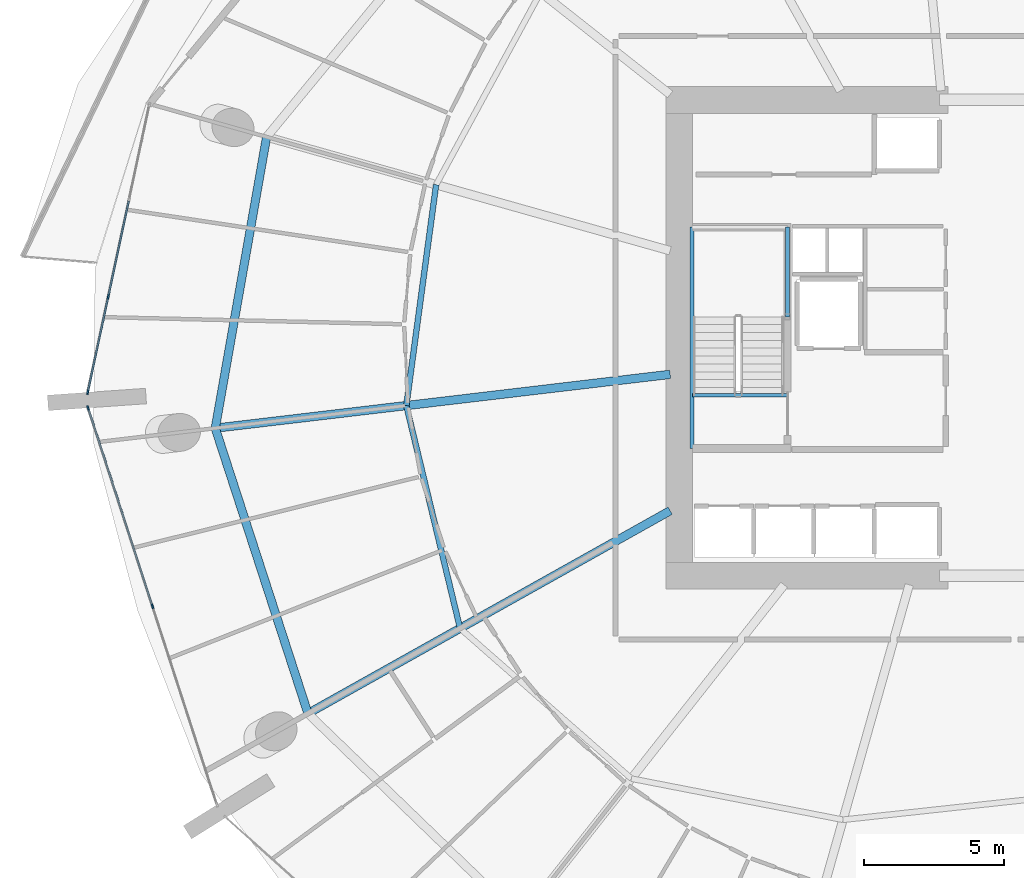
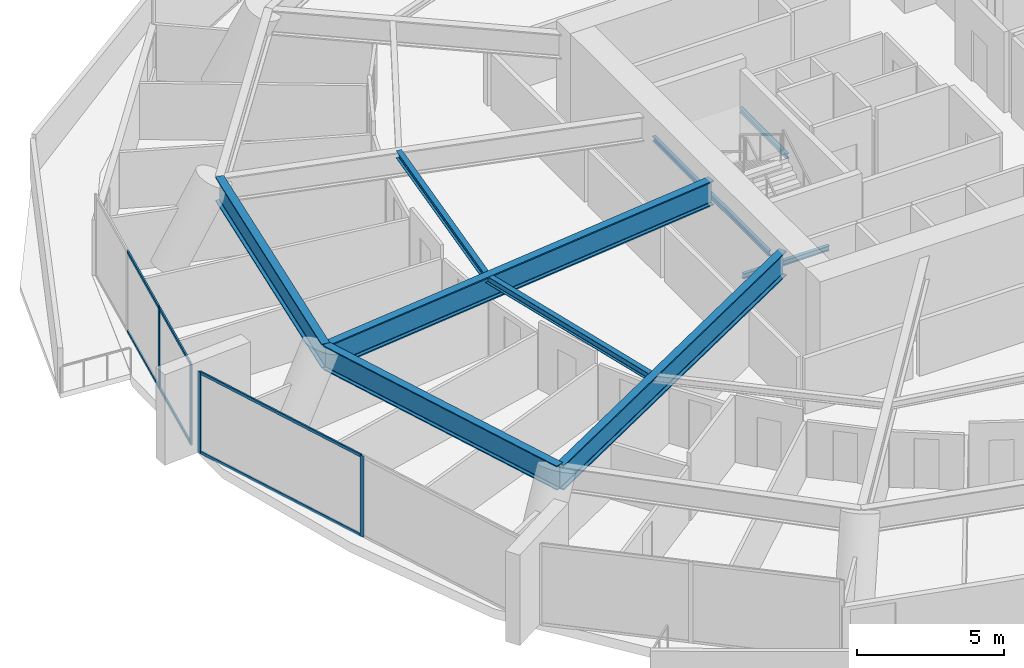
# One storey, part 8 of 31: 10 members, 9 beams, 2 elements without a shape of their own.
"""IFC4 building model written with IfcOpenShell, lengths in metres."""

from ifc_helpers import new_model, si_unit, direction, frame, origin, origin_2d, place, context, subcontext, project, spatial, rectangle, i_section, extrude, material, layer, layer_set, material_profile, profile_set, type_object, element, aggregate, save


model = new_model("IFC4")

# Units and contexts
model_context = context("Model", 3, precision=1e-05, world=origin(), true_north=direction((0.0, 1.0)))
body_context = subcontext(model_context, "Body", "Model", "MODEL_VIEW")
ifc_project = project(units=[si_unit("LENGTHUNIT", "METRE"), si_unit("AREAUNIT", "SQUARE_METRE"), si_unit("VOLUMEUNIT", "CUBIC_METRE"), si_unit("PLANEANGLEUNIT", "RADIAN"), si_unit("MASSUNIT", "GRAM", prefix="KILO")], contexts=[model_context])

# Site, building, storey
site_placement = place(None, origin())
site = spatial("IfcSite", under=ifc_project, at=site_placement, CompositionType="ELEMENT")
building_placement = place(site_placement, origin())
building = spatial("IfcBuilding", under=site, at=building_placement, Name="Kazma Halo Residences", CompositionType="ELEMENT")
storey_placement = place(building_placement, frame((0.0, 0.0, 71.39990234375)))
storey = spatial("IfcBuildingStorey", under=building, at=storey_placement, Name="L17", CompositionType="ELEMENT", Elevation=71.39990234375)

# Beams
ifc_material_1 = material(Name="Steel S355", Category="steel")
ifc_material_profile_1 = material_profile(ifc_material_1, i_section(OverallWidth=0.202880859375, OverallDepth=0.302978515625, WebThickness=0.007568359375, FlangeThickness=0.01318359375, FilletRadius=0.013916015625, at=origin_2d()), Name="W310x60")
ifc_profile_set_1 = profile_set([ifc_material_profile_1], Name="Steel S355")
beam_type_1 = type_object("IfcBeamType", Name="BM-SEC-W310A", PredefinedType="JOIST", material=ifc_profile_set_1)
beam_1_placement = place(storey_placement, frame((28.66162109375, 47.4541015625, 3.198486328125), z_axis=(-0.133694271493, -0.991022624247, 0.0), x_axis=(0.991022624247, -0.133694271493, 0.0)))
element("IfcBeam", 1, at=beam_1_placement, inside=storey, type_object=beam_type_1, Name="L17 circumferential floor joist 07", PredefinedType="JOIST", context=body_context, shape_type="SweptSolid", body=[
    extrude(i_section(OverallWidth=0.202880859375, OverallDepth=0.302978515625, WebThickness=0.007568359375, FlangeThickness=0.01318359375, FilletRadius=0.013916015625, at=origin_2d()), origin(), (0.0, 0.0, 1.0), 7.93994140625),
])
beam_2_placement = place(storey_placement, frame((27.60009765625, 39.58544921875, 3.198486328125), z_axis=(0.234661967598, -0.97207703448, 0.0), x_axis=(0.97207703448, 0.234661967598, 0.0)))
element("IfcBeam", 2, at=beam_2_placement, inside=storey, type_object=beam_type_1, Name="L17 circumferential floor joist 08", PredefinedType="JOIST", context=body_context, shape_type="SweptSolid", body=[
    extrude(i_section(OverallWidth=0.202880859375, OverallDepth=0.302978515625, WebThickness=0.007568359375, FlangeThickness=0.01318359375, FilletRadius=0.013916015625, at=origin_2d()), origin(), (0.0, 0.0, 1.0), 8.1650390625),
])
ifc_material_profile_2 = material_profile(ifc_material_1, i_section(OverallWidth=0.302001953125, OverallDepth=1.01806640625, WebThickness=0.021484375, FlangeThickness=0.049072265625, FilletRadius=0.028076171875, at=origin_2d()), Name="W1000x443")
ifc_profile_set_2 = profile_set([ifc_material_profile_2], Name="Steel S355")
beam_type_2 = type_object("IfcBeamType", Name="BM-TRANS-W1000A", PredefinedType="BEAM", material=ifc_profile_set_2)
beam_3_placement = place(storey_placement, frame((37.0, 40.697998046875, 2.841064453125), z_axis=(-0.993068155662, -0.117539943042, 0.0), x_axis=(0.117539943042, -0.993068155662, 0.0)))
element("IfcBeam", 3, at=beam_3_placement, inside=storey, type_object=beam_type_2, Name="L17 podium radial transfer girder 08", PredefinedType="BEAM", context=body_context, shape_type="SweptSolid", body=[
    extrude(i_section(OverallWidth=0.302001953125, OverallDepth=1.01806640625, WebThickness=0.021484375, FlangeThickness=0.049072265625, FilletRadius=0.028076171875, at=origin_2d()), origin(), (0.0, 0.0, 1.0), 16.319580078125),
])
beam_4_placement = place(storey_placement, frame((37.0, 35.839599609375, 2.841064453125), z_axis=(-0.872499822731, -0.488614428086, 0.0), x_axis=(0.488614428086, -0.872499822731, 0.0)))
element("IfcBeam", 4, at=beam_4_placement, inside=storey, type_object=beam_type_2, Name="L17 podium radial transfer girder 09", PredefinedType="BEAM", context=body_context, shape_type="SweptSolid", body=[
    extrude(i_section(OverallWidth=0.302001953125, OverallDepth=1.01806640625, WebThickness=0.021484375, FlangeThickness=0.049072265625, FilletRadius=0.028076171875, at=origin_2d()), origin(), (0.0, 0.0, 1.0), 14.788818359375),
])
ifc_material_profile_3 = material_profile(ifc_material_1, i_section(OverallWidth=0.300048828125, OverallDepth=1.0, WebThickness=0.01904296875, FlangeThickness=0.0400390625, FilletRadius=0.02587890625, at=origin_2d()), Name="W1000x371")
ifc_profile_set_3 = profile_set([ifc_material_profile_3], Name="Steel S355")
beam_type_3 = type_object("IfcBeamType", Name="BM-TRANS-W1000B", PredefinedType="BEAM", material=ifc_profile_set_3)
beam_5_placement = place(storey_placement, frame((22.623291015625, 49.156982421875, 2.85009765625), z_axis=(-0.173653159051, -0.984806874647, 0.0), x_axis=(0.984806874647, -0.173653159051, 0.0)))
element("IfcBeam", 5, at=beam_5_placement, inside=storey, type_object=beam_type_3, Name="L17 perimeter ring beam 07", PredefinedType="BEAM", context=body_context, shape_type="SweptSolid", body=[
    extrude(i_section(OverallWidth=0.300048828125, OverallDepth=1.0, WebThickness=0.01904296875, FlangeThickness=0.0400390625, FilletRadius=0.02587890625, at=origin_2d()), origin(), (0.0, 0.0, 1.0), 10.537353515625),
])
beam_6_placement = place(storey_placement, frame((20.79345703125, 38.77978515625, 2.85009765625), z_axis=(0.309017385422, -0.951056389236, 0.0), x_axis=(0.951056389236, 0.309017385422, 0.0)))
element("IfcBeam", 6, at=beam_6_placement, inside=storey, type_object=beam_type_3, Name="L17 perimeter ring beam 08", PredefinedType="BEAM", context=body_context, shape_type="SweptSolid", body=[
    extrude(i_section(OverallWidth=0.300048828125, OverallDepth=1.0, WebThickness=0.01904296875, FlangeThickness=0.0400390625, FilletRadius=0.02587890625, at=origin_2d()), origin(), (0.0, 0.0, 1.0), 10.689453125),
])
ifc_material_profile_4 = material_profile(ifc_material_1, i_section(OverallWidth=0.133056640625, OverallDepth=0.20703125, WebThickness=0.005859375, FlangeThickness=0.00830078125, FilletRadius=0.010009765625, at=origin_2d()), Name="W200x26.6")
ifc_profile_set_4 = profile_set([ifc_material_profile_4], Name="Steel S355")
beam_type_4 = type_object("IfcBeamType", Name="BM-TRIM-W200", PredefinedType="BEAM", material=ifc_profile_set_4)
beam_7_placement = place(storey_placement, frame((37.800048828125, 39.949951171875, -0.510009765625), z_axis=(1.0, 0.0, 0.0), x_axis=(0.0, 1.0, 0.0)))
element("IfcBeam", 7, at=beam_7_placement, inside=storey, type_object=beam_type_4, Name="L17 ST-01 floor landing support beam", PredefinedType="BEAM", context=body_context, shape_type="SweptSolid", body=[
    extrude(i_section(OverallWidth=0.133056640625, OverallDepth=0.20703125, WebThickness=0.005859375, FlangeThickness=0.00830078125, FilletRadius=0.010009765625, at=origin_2d()), origin(), (0.0, 0.0, 1.0), 3.3798828125),
])
beam_8_placement = place(storey_placement, frame((37.780029296875, 38.06005859375, 1.570068359375), z_axis=(0.0, 1.0, 0.0), x_axis=(-1.0, 0.0, 0.0)))
element("IfcBeam", 8, at=beam_8_placement, inside=storey, type_object=beam_type_4, Name="L17 ST-01 landing west wall ledger", PredefinedType="BEAM", context=body_context, shape_type="SweptSolid", body=[
    extrude(i_section(OverallWidth=0.133056640625, OverallDepth=0.20703125, WebThickness=0.005859375, FlangeThickness=0.00830078125, FilletRadius=0.010009765625, at=origin_2d()), origin(), (0.0, 0.0, 1.0), 7.8798828125),
])
beam_9_placement = place(storey_placement, frame((41.179931640625, 42.75, 1.570068359375), z_axis=(0.0, 1.0, 0.0), x_axis=(-1.0, 0.0, 0.0)))
element("IfcBeam", 9, at=beam_9_placement, inside=storey, type_object=beam_type_4, Name="L17 ST-01 landing east wall ledger", PredefinedType="BEAM", context=body_context, shape_type="SweptSolid", body=[
    extrude(i_section(OverallWidth=0.133056640625, OverallDepth=0.20703125, WebThickness=0.005859375, FlangeThickness=0.00830078125, FilletRadius=0.010009765625, at=origin_2d()), origin(), (0.0, 0.0, 1.0), 3.18994140625),
])

# Curtain wall, members
ifc_material_2 = material(Name="Aluminium AW-6063 T6 and Triple-Silver Low-E Glass", Category="aluminium")
ifc_layer = layer(ifc_material_2, 0.159912109375)
ifc_layer_set = layer_set([ifc_layer], Name="Aluminium AW-6063 T6 and Triple-Silver Low-E Glass")
curtain_wall_type = type_object("IfcCurtainWallType", Name="CW-SYS-2", PredefinedType="NOTDEFINED", material=ifc_layer_set)
curtain_wall_1_placement = place(storey_placement, origin())
curtain_wall_1 = element("IfcCurtainWall", 10, at=curtain_wall_1_placement, inside=storey, type_object=curtain_wall_type, Name="L17 unitised curtain wall B07", PredefinedType="NOTDEFINED")
ifc_material_3 = material(Name="Aluminium AW-6063 T6", Category="aluminium")
ifc_material_profile_5 = material_profile(ifc_material_3, rectangle(XDim=0.06005859375, YDim=0.159912109375, at=origin_2d()), Name="CWM-60x160")
ifc_profile_set_5 = profile_set([ifc_material_profile_5], Name="Aluminium AW-6063 T6")
member_type_1 = type_object("IfcMemberType", Name="CW-SYS-2-MUL", PredefinedType="MULLION", material=ifc_profile_set_5)
member_1_placement = place(storey_placement, frame((16.980712890625, 43.46435546875, 0.0), z_axis=(0.0, 0.0, 1.0), x_axis=(0.977779215096, -0.209637321406, 0.0)))
member_1 = element("IfcMember", 11, at=member_1_placement, type_object=member_type_1, Name="CWS-2 mullion 3", PredefinedType="MULLION", context=body_context, shape_type="SweptSolid", body=[
    extrude(rectangle(XDim=0.06005859375, YDim=0.159912109375, at=origin_2d()), origin(), (0.0, 0.0, 1.0), 3.35009765625),
])
member_2_placement = place(storey_placement, frame((16.25048828125, 40.059326171875, 0.0), z_axis=(0.0, 0.0, 1.0), x_axis=(0.977779215096, -0.209637321406, 0.0)))
member_2 = element("IfcMember", 12, at=member_2_placement, type_object=member_type_1, Name="CWS-2 mullion 4", PredefinedType="MULLION", context=body_context, shape_type="SweptSolid", body=[
    extrude(rectangle(XDim=0.06005859375, YDim=0.159912109375, at=origin_2d()), origin(), (0.0, 0.0, 1.0), 3.35009765625),
])

curtain_wall_2_placement = place(storey_placement, origin())
curtain_wall_2 = element("IfcCurtainWall", 13, at=curtain_wall_2_placement, inside=storey, type_object=curtain_wall_type, Name="L17 unitised curtain wall B08", PredefinedType="NOTDEFINED")
member_3_placement = place(storey_placement, frame((16.26171875, 39.500732421875, 0.0), z_axis=(0.0, 0.0, 1.0), x_axis=(0.95105652404, 0.309016970539, 0.0)))
member_3 = element("IfcMember", 14, at=member_3_placement, type_object=member_type_1, Name="CWS-2 mullion 1", PredefinedType="MULLION", context=body_context, shape_type="SweptSolid", body=[
    extrude(rectangle(XDim=0.06005859375, YDim=0.159912109375, at=origin_2d()), origin(), (0.0, 0.0, 1.0), 3.35009765625),
])
member_4_placement = place(storey_placement, frame((18.55810546875, 32.43359375, 0.0), z_axis=(0.0, 0.0, 1.0), x_axis=(0.95105652404, 0.309016970539, 0.0)))
member_4 = element("IfcMember", 15, at=member_4_placement, type_object=member_type_1, Name="CWS-2 mullion 2", PredefinedType="MULLION", context=body_context, shape_type="SweptSolid", body=[
    extrude(rectangle(XDim=0.06005859375, YDim=0.159912109375, at=origin_2d()), origin(), (0.0, 0.0, 1.0), 3.35009765625),
])

# Member
ifc_material_profile_6 = material_profile(ifc_material_3, rectangle(XDim=0.06005859375, YDim=0.1201171875, at=origin_2d()), Name="CWT-60x120")
ifc_profile_set_6 = profile_set([ifc_material_profile_6], Name="Aluminium AW-6063 T6")
member_type_2 = type_object("IfcMemberType", Name="CW-SYS-2-TRN", PredefinedType="USERDEFINED", material=ifc_profile_set_6)
member_5_placement = place(storey_placement, frame((17.710693359375, 46.869384765625, 0.030029296875), z_axis=(-0.209669136217, -0.977772393412, 0.0), x_axis=(0.977772393412, -0.209669136217, 0.0)))
member_5 = element("IfcMember", 16, at=member_5_placement, type_object=member_type_2, Name="CWS-2 transom 2.1", ObjectType="TRANSOM", PredefinedType="USERDEFINED", context=body_context, shape_type="SweptSolid", body=[
    extrude(rectangle(XDim=0.06005859375, YDim=0.1201171875, at=origin_2d()), origin(), (0.0, 0.0, 1.0), 3.452392578125),
])

member_6_placement = place(storey_placement, frame((17.710693359375, 46.869384765625, 3.320068359375), z_axis=(-0.209669136217, -0.977772393412, 0.0), x_axis=(0.977772393412, -0.209669136217, 0.0)))
member_6 = element("IfcMember", 17, at=member_6_placement, type_object=member_type_2, Name="CWS-2 transom 2.2", ObjectType="TRANSOM", PredefinedType="USERDEFINED", context=body_context, shape_type="SweptSolid", body=[
    extrude(rectangle(XDim=0.06005859375, YDim=0.1201171875, at=origin_2d()), origin(), (0.0, 0.0, 1.0), 3.452392578125),
])

member_7_placement = place(storey_placement, frame((16.974365234375, 43.434814453125, 0.030029296875), z_axis=(-0.209665500897, -0.977773172946, 0.0), x_axis=(0.977773172946, -0.209665500897, 0.0)))
member_7 = element("IfcMember", 18, at=member_7_placement, type_object=member_type_2, Name="CWS-2 transom 3.1", ObjectType="TRANSOM", PredefinedType="USERDEFINED", context=body_context, shape_type="SweptSolid", body=[
    extrude(rectangle(XDim=0.06005859375, YDim=0.1201171875, at=origin_2d()), origin(), (0.0, 0.0, 1.0), 3.42236328125),
])

member_8_placement = place(storey_placement, frame((16.974365234375, 43.434814453125, 3.320068359375), z_axis=(-0.209665500897, -0.977773172946, 0.0), x_axis=(0.977773172946, -0.209665500897, 0.0)))
member_8 = element("IfcMember", 19, at=member_8_placement, type_object=member_type_2, Name="CWS-2 transom 3.2", ObjectType="TRANSOM", PredefinedType="USERDEFINED", context=body_context, shape_type="SweptSolid", body=[
    extrude(rectangle(XDim=0.06005859375, YDim=0.1201171875, at=origin_2d()), origin(), (0.0, 0.0, 1.0), 3.42236328125),
])

aggregate(curtain_wall_1, [member_1, member_2, member_5, member_6, member_7, member_8])

member_9_placement = place(storey_placement, frame((16.27099609375, 39.47216796875, 0.030029296875), z_axis=(0.309034393795, -0.951050862705, 0.0), x_axis=(0.951050862705, 0.309034393795, 0.0)))
member_9 = element("IfcMember", 20, at=member_9_placement, type_object=member_type_2, Name="CWS-2 transom 1.1", ObjectType="TRANSOM", PredefinedType="USERDEFINED", context=body_context, shape_type="SweptSolid", body=[
    extrude(rectangle(XDim=0.06005859375, YDim=0.1201171875, at=origin_2d()), origin(), (0.0, 0.0, 1.0), 7.370849609375),
])

member_10_placement = place(storey_placement, frame((16.27099609375, 39.47216796875, 3.320068359375), z_axis=(0.309034393795, -0.951050862705, 0.0), x_axis=(0.951050862705, 0.309034393795, 0.0)))
member_10 = element("IfcMember", 21, at=member_10_placement, type_object=member_type_2, Name="CWS-2 transom 1.2", ObjectType="TRANSOM", PredefinedType="USERDEFINED", context=body_context, shape_type="SweptSolid", body=[
    extrude(rectangle(XDim=0.06005859375, YDim=0.1201171875, at=origin_2d()), origin(), (0.0, 0.0, 1.0), 7.370849609375),
])

aggregate(curtain_wall_2, [member_3, member_4, member_9, member_10])

save(model, "model.ifc")
